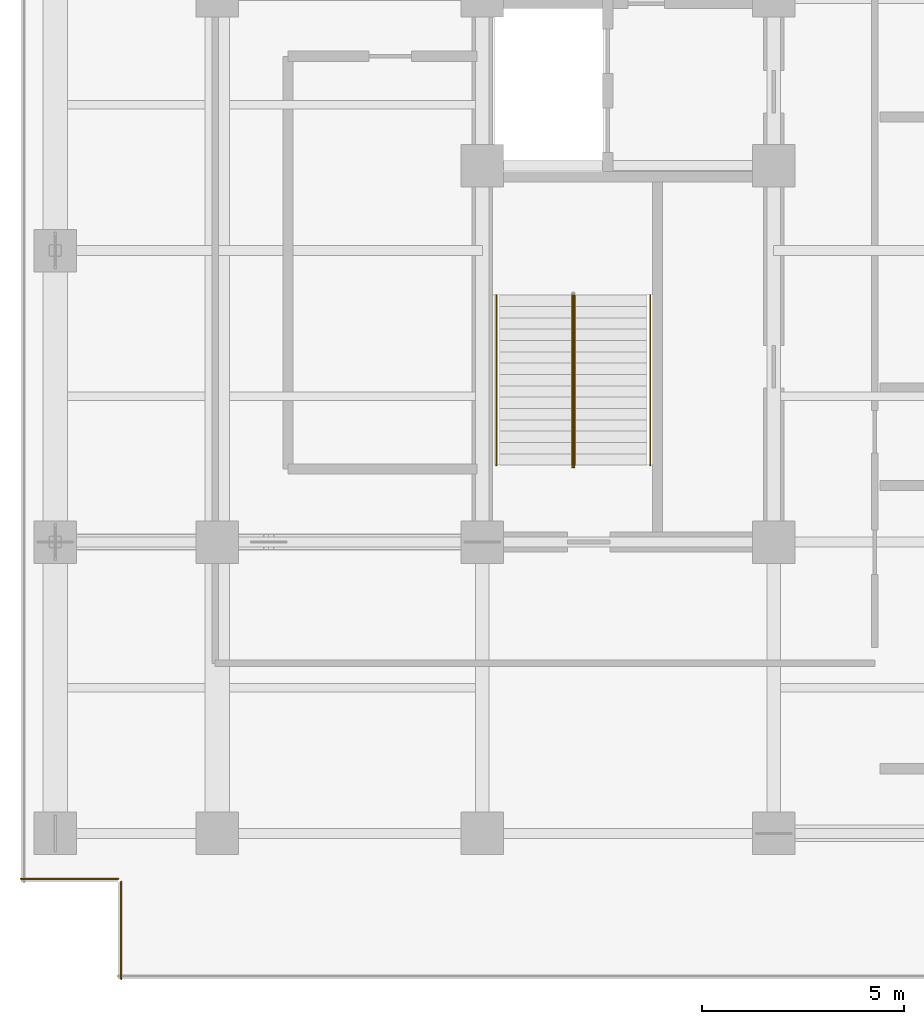
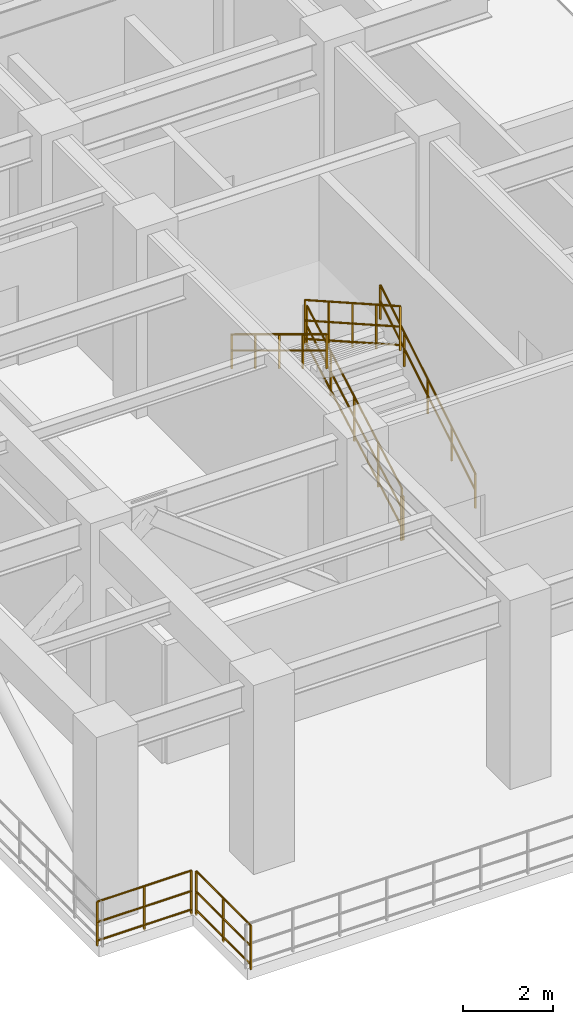
# One storey, part 8 of 16: 7 railings.
"""IFC4 building model written with IfcOpenShell, lengths in metres."""

from ifc_helpers import new_model, entity, si_unit, converted_unit, direction, frame, origin_with_axes, origin_2d_with_axis, place, context, subcontext, project, spatial, rectangle, circle, extrude, material, type_object, element, save


model = new_model("IFC4")

# Units and contexts
model_context = context("Model", 3, precision=1e-05, world=origin_with_axes(), true_north=direction((0.0, 1.0)))
body_context = subcontext(model_context, "Body", "Model", "MODEL_VIEW")
ifc_project = project(units=[si_unit("LENGTHUNIT", "METRE"), si_unit("AREAUNIT", "SQUARE_METRE"), si_unit("VOLUMEUNIT", "CUBIC_METRE"), converted_unit("PLANEANGLEUNIT", "DEGREE", entity("IfcPlaneAngleMeasure", 0.017453292519943295), si_unit("PLANEANGLEUNIT", "RADIAN"), dimensions=[0, 0, 0, 0, 0, 0, 0]), si_unit("MASSUNIT", "GRAM", prefix="KILO"), si_unit("THERMODYNAMICTEMPERATUREUNIT", "KELVIN")], contexts=[model_context])

# Site, building, storey
site_placement = place(None, origin_with_axes())
site = spatial("IfcSite", under=ifc_project, at=site_placement, CompositionType="ELEMENT")
building_placement = place(site_placement, origin_with_axes())
building = spatial("IfcBuilding", under=site, at=building_placement, Name="Varnlund Millrace Tower", CompositionType="ELEMENT")
storey_placement = place(building_placement, frame((0.0, 0.0, 187.5), z_axis=(0.0, 0.0, 1.0), x_axis=(1.0, 0.0, 0.0)))
storey = spatial("IfcBuildingStorey", under=building, at=storey_placement, Name="L46", CompositionType="ELEMENT", Elevation=187.5)

# Railings
ifc_material_1 = material(Name="Architectural bronze balustrade guard", Category="aluminium")
railing_type_1 = type_object("IfcRailingType", Name="Type-Guard-Perimeter-1150", PredefinedType="BALUSTRADE", material=ifc_material_1)
railing_1_placement = place(storey_placement, frame((0.0, 0.0, -187.5), z_axis=(0.0, 0.0, 1.0), x_axis=(1.0, 0.0, 0.0)))
element("IfcRailing", 1, at=railing_1_placement, inside=storey, type_object=railing_type_1, Name="Type-Guard-Perimeter-1150", PredefinedType="BALUSTRADE", context=body_context, shape_type="SweptSolid", body=[
    extrude(circle(Radius=0.024, at=origin_2d_with_axis()), frame((0.0, 2.48, 188.65), z_axis=(1.0, 0.0, 0.0), x_axis=(0.0, 1.0, 0.0)), (0.0, 0.0, 1.0), 2.4),
    extrude(circle(Radius=0.024, at=origin_2d_with_axis()), frame((0.0, 2.48, 187.6), z_axis=(1.0, 0.0, 0.0), x_axis=(0.0, 1.0, 0.0)), (0.0, 0.0, 1.0), 2.4),
    extrude(circle(Radius=0.024, at=origin_2d_with_axis()), frame((0.0, 2.48, 188.098), z_axis=(1.0, 0.0, 0.0), x_axis=(0.0, 1.0, 0.0)), (0.0, 0.0, 1.0), 2.4),
    extrude(rectangle(XDim=0.04, YDim=0.04, at=origin_2d_with_axis()), frame((0.0, 2.48, 187.46), z_axis=(0.0, 0.0, 1.0), x_axis=(1.0, 0.0, 0.0)), (0.0, 0.0, 1.0), 1.19),
    extrude(rectangle(XDim=0.04, YDim=0.04, at=origin_2d_with_axis()), frame((1.2, 2.48, 187.46), z_axis=(0.0, 0.0, 1.0), x_axis=(1.0, 0.0, 0.0)), (0.0, 0.0, 1.0), 1.19),
    extrude(rectangle(XDim=0.04, YDim=0.04, at=origin_2d_with_axis()), frame((2.4, 2.48, 187.46), z_axis=(0.0, 0.0, 1.0), x_axis=(1.0, 0.0, 0.0)), (0.0, 0.0, 1.0), 1.19),
])
railing_2_placement = place(storey_placement, frame((0.0, 0.0, -187.5), z_axis=(0.0, 0.0, 1.0), x_axis=(1.0, 0.0, 0.0)))
element("IfcRailing", 2, at=railing_2_placement, inside=storey, type_object=railing_type_1, Name="Type-Guard-Perimeter-1150", PredefinedType="BALUSTRADE", context=body_context, shape_type="SweptSolid", body=[
    extrude(circle(Radius=0.024, at=origin_2d_with_axis()), frame((2.48, 2.4, 188.65), z_axis=(0.0, -1.0, 0.0), x_axis=(1.0, 0.0, 0.0)), (0.0, 0.0, 1.0), 2.4),
    extrude(circle(Radius=0.024, at=origin_2d_with_axis()), frame((2.48, 2.4, 187.6), z_axis=(0.0, -1.0, 0.0), x_axis=(1.0, 0.0, 0.0)), (0.0, 0.0, 1.0), 2.4),
    extrude(circle(Radius=0.024, at=origin_2d_with_axis()), frame((2.48, 2.4, 188.098), z_axis=(0.0, -1.0, 0.0), x_axis=(1.0, 0.0, 0.0)), (0.0, 0.0, 1.0), 2.4),
    extrude(rectangle(XDim=0.04, YDim=0.04, at=origin_2d_with_axis()), frame((2.48, 2.4, 187.46), z_axis=(0.0, 0.0, 1.0), x_axis=(1.0, 0.0, 0.0)), (0.0, 0.0, 1.0), 1.19),
    extrude(rectangle(XDim=0.04, YDim=0.04, at=origin_2d_with_axis()), frame((2.48, 1.2, 187.46), z_axis=(0.0, 0.0, 1.0), x_axis=(1.0, 0.0, 0.0)), (0.0, 0.0, 1.0), 1.19),
    extrude(rectangle(XDim=0.04, YDim=0.04, at=origin_2d_with_axis()), frame((2.48, 0.0, 187.46), z_axis=(0.0, 0.0, 1.0), x_axis=(1.0, 0.0, 0.0)), (0.0, 0.0, 1.0), 1.19),
])
ifc_material_2 = material(Name="Painted steel stair well balustrade guard", Category="steel")
railing_type_2 = type_object("IfcRailingType", Name="Type-StairGuard-1150", PredefinedType="GUARDRAIL", material=ifc_material_2)
railing_3_placement = place(storey_placement, frame((0.0, 0.0, -187.5), z_axis=(0.0, 0.0, 1.0), x_axis=(1.0, 0.0, 0.0)))
element("IfcRailing", 3, at=railing_3_placement, inside=storey, type_object=railing_type_2, Name="Type-StairGuard-1150", PredefinedType="GUARDRAIL", context=body_context, shape_type="SweptSolid", body=[
    extrude(circle(Radius=0.024, at=origin_2d_with_axis()), frame((13.675, 12.7, 188.82), z_axis=(0.0, 0.870022, 0.493013), x_axis=(-1.0, 0.0, 0.0)), (0.0, 0.0, 1.0), 4.827463),
    extrude(circle(Radius=0.024, at=origin_2d_with_axis()), frame((13.675, 12.7, 187.77), z_axis=(0.0, 0.870022, 0.493013), x_axis=(-1.0, 0.0, 0.0)), (0.0, 0.0, 1.0), 4.827463),
    extrude(circle(Radius=0.024, at=origin_2d_with_axis()), frame((13.675, 12.7, 188.268), z_axis=(0.0, 0.870022, 0.493013), x_axis=(-1.0, 0.0, 0.0)), (0.0, 0.0, 1.0), 4.827463),
    extrude(rectangle(XDim=0.04, YDim=0.04, at=origin_2d_with_axis()), frame((13.675, 12.7, 187.63), z_axis=(0.0, 0.0, 1.0), x_axis=(1.0, 0.0, 0.0)), (0.0, 0.0, 1.0), 1.19),
    extrude(rectangle(XDim=0.04, YDim=0.04, at=origin_2d_with_axis()), frame((13.675, 13.75, 188.225), z_axis=(0.0, 0.0, 1.0), x_axis=(1.0, 0.0, 0.0)), (0.0, 0.0, 1.0), 1.19),
    extrude(rectangle(XDim=0.04, YDim=0.04, at=origin_2d_with_axis()), frame((13.675, 14.8, 188.82), z_axis=(0.0, 0.0, 1.0), x_axis=(1.0, 0.0, 0.0)), (0.0, 0.0, 1.0), 1.19),
    extrude(rectangle(XDim=0.04, YDim=0.04, at=origin_2d_with_axis()), frame((13.675, 15.85, 189.415), z_axis=(0.0, 0.0, 1.0), x_axis=(1.0, 0.0, 0.0)), (0.0, 0.0, 1.0), 1.19),
    extrude(rectangle(XDim=0.04, YDim=0.04, at=origin_2d_with_axis()), frame((13.675, 16.9, 190.01), z_axis=(0.0, 0.0, 1.0), x_axis=(1.0, 0.0, 0.0)), (0.0, 0.0, 1.0), 1.19),
])
railing_4_placement = place(storey_placement, frame((0.0, 0.0, -187.5), z_axis=(0.0, 0.0, 1.0), x_axis=(1.0, 0.0, 0.0)))
element("IfcRailing", 4, at=railing_4_placement, inside=storey, type_object=railing_type_2, Name="Type-StairGuard-1150", PredefinedType="GUARDRAIL", context=body_context, shape_type="SweptSolid", body=[
    extrude(circle(Radius=0.024, at=origin_2d_with_axis()), frame((13.625, 16.9, 191.37), z_axis=(0.0, -0.870022, 0.493013), x_axis=(1.0, 0.0, 0.0)), (0.0, 0.0, 1.0), 4.827463),
    extrude(circle(Radius=0.024, at=origin_2d_with_axis()), frame((13.625, 16.9, 190.32), z_axis=(0.0, -0.870022, 0.493013), x_axis=(1.0, 0.0, 0.0)), (0.0, 0.0, 1.0), 4.827463),
    extrude(circle(Radius=0.024, at=origin_2d_with_axis()), frame((13.625, 16.9, 190.818), z_axis=(0.0, -0.870022, 0.493013), x_axis=(1.0, 0.0, 0.0)), (0.0, 0.0, 1.0), 4.827463),
    extrude(rectangle(XDim=0.04, YDim=0.04, at=origin_2d_with_axis()), frame((13.625, 16.9, 190.18), z_axis=(0.0, 0.0, 1.0), x_axis=(1.0, 0.0, 0.0)), (0.0, 0.0, 1.0), 1.19),
    extrude(rectangle(XDim=0.04, YDim=0.04, at=origin_2d_with_axis()), frame((13.625, 15.85, 190.775), z_axis=(0.0, 0.0, 1.0), x_axis=(1.0, 0.0, 0.0)), (0.0, 0.0, 1.0), 1.19),
    extrude(rectangle(XDim=0.04, YDim=0.04, at=origin_2d_with_axis()), frame((13.625, 14.8, 191.37), z_axis=(0.0, 0.0, 1.0), x_axis=(1.0, 0.0, 0.0)), (0.0, 0.0, 1.0), 1.19),
    extrude(rectangle(XDim=0.04, YDim=0.04, at=origin_2d_with_axis()), frame((13.625, 13.75, 191.965), z_axis=(0.0, 0.0, 1.0), x_axis=(1.0, 0.0, 0.0)), (0.0, 0.0, 1.0), 1.19),
    extrude(rectangle(XDim=0.04, YDim=0.04, at=origin_2d_with_axis()), frame((13.625, 12.7, 192.56), z_axis=(0.0, 0.0, 1.0), x_axis=(1.0, 0.0, 0.0)), (0.0, 0.0, 1.0), 1.19),
])
railing_5_placement = place(storey_placement, frame((0.0, 0.0, -187.5), z_axis=(0.0, 0.0, 1.0), x_axis=(1.0, 0.0, 0.0)))
element("IfcRailing", 5, at=railing_5_placement, inside=storey, type_object=railing_type_2, Name="Type-StairGuard-1150", PredefinedType="GUARDRAIL", context=body_context, shape_type="SweptSolid", body=[
    extrude(circle(Radius=0.024, at=origin_2d_with_axis()), frame((13.625, 12.65, 188.65), z_axis=(1.0, 0.0, 0.0), x_axis=(0.0, 1.0, 0.0)), (0.0, 0.0, 1.0), 0.05),
    extrude(circle(Radius=0.024, at=origin_2d_with_axis()), frame((13.625, 12.65, 187.6), z_axis=(1.0, 0.0, 0.0), x_axis=(0.0, 1.0, 0.0)), (0.0, 0.0, 1.0), 0.05),
    extrude(circle(Radius=0.024, at=origin_2d_with_axis()), frame((13.625, 12.65, 188.098), z_axis=(1.0, 0.0, 0.0), x_axis=(0.0, 1.0, 0.0)), (0.0, 0.0, 1.0), 0.05),
    extrude(rectangle(XDim=0.04, YDim=0.04, at=origin_2d_with_axis()), frame((13.625, 12.65, 187.46), z_axis=(0.0, 0.0, 1.0), x_axis=(1.0, 0.0, 0.0)), (0.0, 0.0, 1.0), 1.19),
    extrude(rectangle(XDim=0.04, YDim=0.04, at=origin_2d_with_axis()), frame((13.675, 12.65, 187.46), z_axis=(0.0, 0.0, 1.0), x_axis=(1.0, 0.0, 0.0)), (0.0, 0.0, 1.0), 1.19),
])
ifc_material_3 = material(Name="Brushed architectural bronze stair handrail", Category="aluminium")
railing_type_3 = type_object("IfcRailingType", Name="Type-StairHandrail-900", PredefinedType="HANDRAIL", material=ifc_material_3)
railing_6_placement = place(storey_placement, frame((0.0, 0.0, -187.5), z_axis=(0.0, 0.0, 1.0), x_axis=(1.0, 0.0, 0.0)))
element("IfcRailing", 6, at=railing_6_placement, inside=storey, type_object=railing_type_3, Name="Type-StairHandrail-900", PredefinedType="HANDRAIL", context=body_context, shape_type="SweptSolid", body=[
    extrude(circle(Radius=0.024, at=origin_2d_with_axis()), frame((15.55, 12.7, 188.549485), z_axis=(0.0, 0.854788, 0.518978), x_axis=(-1.0, 0.0, 0.0)), (0.0, 0.0, 1.0), 4.913502),
    extrude(circle(Radius=0.024, at=origin_2d_with_axis()), frame((15.55, 12.7, 188.109743), z_axis=(0.0, 0.854788, 0.518978), x_axis=(-1.0, 0.0, 0.0)), (0.0, 0.0, 1.0), 4.913502),
    extrude(rectangle(XDim=0.04, YDim=0.04, at=origin_2d_with_axis()), frame((15.55, 12.7, 187.63), z_axis=(0.0, 0.0, 1.0), x_axis=(1.0, 0.0, 0.0)), (0.0, 0.0, 1.0), 0.919485),
    extrude(rectangle(XDim=0.04, YDim=0.04, at=origin_2d_with_axis()), frame((15.55, 13.75, 188.2675), z_axis=(0.0, 0.0, 1.0), x_axis=(1.0, 0.0, 0.0)), (0.0, 0.0, 1.0), 0.919485),
    extrude(rectangle(XDim=0.04, YDim=0.04, at=origin_2d_with_axis()), frame((15.55, 14.8, 188.905), z_axis=(0.0, 0.0, 1.0), x_axis=(1.0, 0.0, 0.0)), (0.0, 0.0, 1.0), 0.919485),
    extrude(rectangle(XDim=0.04, YDim=0.04, at=origin_2d_with_axis()), frame((15.55, 15.85, 189.5425), z_axis=(0.0, 0.0, 1.0), x_axis=(1.0, 0.0, 0.0)), (0.0, 0.0, 1.0), 0.919485),
    extrude(rectangle(XDim=0.04, YDim=0.04, at=origin_2d_with_axis()), frame((15.55, 16.9, 190.18), z_axis=(0.0, 0.0, 1.0), x_axis=(1.0, 0.0, 0.0)), (0.0, 0.0, 1.0), 0.919485),
])
railing_7_placement = place(storey_placement, frame((0.0, 0.0, -187.5), z_axis=(0.0, 0.0, 1.0), x_axis=(1.0, 0.0, 0.0)))
element("IfcRailing", 7, at=railing_7_placement, inside=storey, type_object=railing_type_3, Name="Type-StairHandrail-900", PredefinedType="HANDRAIL", context=body_context, shape_type="SweptSolid", body=[
    extrude(circle(Radius=0.024, at=origin_2d_with_axis()), frame((11.75, 16.9, 191.099485), z_axis=(0.0, -0.854788, 0.518978), x_axis=(1.0, 0.0, 0.0)), (0.0, 0.0, 1.0), 4.913502),
    extrude(circle(Radius=0.024, at=origin_2d_with_axis()), frame((11.75, 16.9, 190.659743), z_axis=(0.0, -0.854788, 0.518978), x_axis=(1.0, 0.0, 0.0)), (0.0, 0.0, 1.0), 4.913502),
    extrude(rectangle(XDim=0.04, YDim=0.04, at=origin_2d_with_axis()), frame((11.75, 16.9, 190.18), z_axis=(0.0, 0.0, 1.0), x_axis=(1.0, 0.0, 0.0)), (0.0, 0.0, 1.0), 0.919485),
    extrude(rectangle(XDim=0.04, YDim=0.04, at=origin_2d_with_axis()), frame((11.75, 15.85, 190.8175), z_axis=(0.0, 0.0, 1.0), x_axis=(1.0, 0.0, 0.0)), (0.0, 0.0, 1.0), 0.919485),
    extrude(rectangle(XDim=0.04, YDim=0.04, at=origin_2d_with_axis()), frame((11.75, 14.8, 191.455), z_axis=(0.0, 0.0, 1.0), x_axis=(1.0, 0.0, 0.0)), (0.0, 0.0, 1.0), 0.919485),
    extrude(rectangle(XDim=0.04, YDim=0.04, at=origin_2d_with_axis()), frame((11.75, 13.75, 192.0925), z_axis=(0.0, 0.0, 1.0), x_axis=(1.0, 0.0, 0.0)), (0.0, 0.0, 1.0), 0.919485),
    extrude(rectangle(XDim=0.04, YDim=0.04, at=origin_2d_with_axis()), frame((11.75, 12.7, 192.73), z_axis=(0.0, 0.0, 1.0), x_axis=(1.0, 0.0, 0.0)), (0.0, 0.0, 1.0), 0.919485),
])

save(model, "model.ifc")
